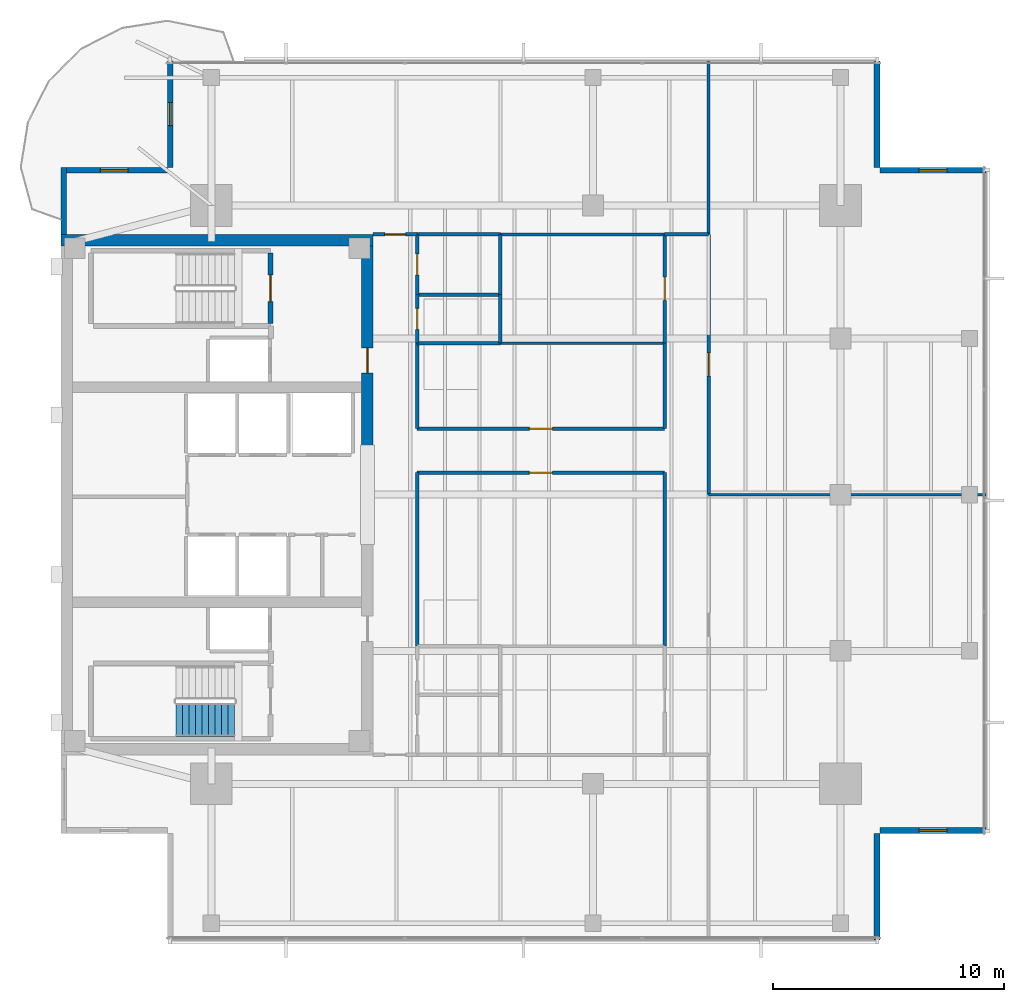
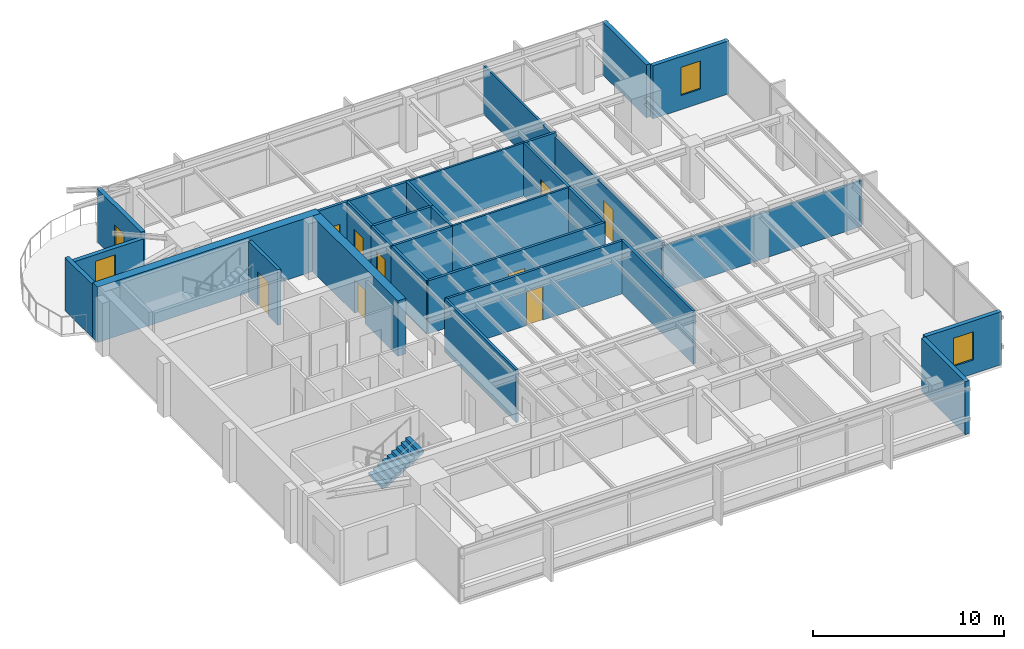
# One storey, part 9 of 14: 31 walls, 10 doors, 3 windows, 1 stair flight, 13 openings, 1 element without a shape of its own.
"""IFC4 building model written with IfcOpenShell, lengths in metres."""

from ifc_helpers import new_model, si_unit, direction, frame, frame_2d, origin, place, context, subcontext, project, spatial, polyline, rectangle, outline, extrude, material, layer, layer_set, type_object, element, fill, aggregate, save


model = new_model("IFC4")

# Units and contexts
model_context = context("Model", 3, precision=1e-05, world=origin(), true_north=direction((0.0, 1.0)))
body_context = subcontext(model_context, "Body", "Model", "MODEL_VIEW")
ifc_project = project(units=[si_unit("LENGTHUNIT", "METRE"), si_unit("AREAUNIT", "SQUARE_METRE"), si_unit("VOLUMEUNIT", "CUBIC_METRE"), si_unit("PLANEANGLEUNIT", "RADIAN"), si_unit("MASSUNIT", "GRAM", prefix="KILO")], contexts=[model_context])

# Site, building, storey
site_placement = place(None, origin())
site = spatial("IfcSite", under=ifc_project, at=site_placement, CompositionType="ELEMENT")
building_placement = place(site_placement, origin())
building = spatial("IfcBuilding", under=site, at=building_placement, Name="Kinhvarn Gate Tower", CompositionType="ELEMENT")
storey_placement = place(building_placement, frame((0.0, 0.0, 267.0)))
storey = spatial("IfcBuildingStorey", under=building, at=storey_placement, Name="L71", CompositionType="ELEMENT", Elevation=267.0)

# Wall
ifc_material_1 = material(Name="Concrete C50/60", Category="concrete")
ifc_layer_1 = layer(ifc_material_1, 0.5)
ifc_layer_set_1 = layer_set([ifc_layer_1], Name="Concrete C50/60")
wall_type_1 = type_object("IfcWallType", Name="WL-CORE-500", PredefinedType="SHEAR", material=ifc_layer_set_1)
wall_1_placement = place(storey_placement, frame((4.5, 36.25, 0.0), z_axis=(0.0, 0.0, 1.0), x_axis=(1.0, 0.0, 0.0)))
element("IfcWall", 1, at=wall_1_placement, inside=storey, type_object=wall_type_1, Name="Core North Shear Wall L71 500 mm", PredefinedType="SHEAR", context=body_context, shape_type="SweptSolid", body=[
    extrude(rectangle(XDim=13.5, YDim=0.5, at=frame_2d((6.75, 0.0))), origin(), (0.0, 0.0, 1.0), 3.550048828125),
])

# Wall, opening, door
wall_2_placement = place(storey_placement, frame((17.75, 27.050048828125, 0.0), z_axis=(0.0, 0.0, 1.0), x_axis=(0.0, 1.0, 0.0)))
wall_2 = element("IfcWall", 2, at=wall_2_placement, inside=storey, type_object=wall_type_1, Name="Core East-North Shear Pier L71 500 mm", PredefinedType="SHEAR", context=body_context, shape_type="SweptSolid", body=[
    extrude(rectangle(XDim=8.949951171875, YDim=0.5, at=frame_2d((4.47509765625, 0.0))), origin(), (0.0, 0.0, 1.0), 3.550048828125),
])
opening_1_placement = place(wall_2_placement, frame((3.449951171875, 0.0, 0.0)))
opening_1 = element("IfcOpeningElement", 3, at=opening_1_placement, cuts=wall_2, Name="Opening FD-02", PredefinedType="OPENING", context=body_context, shape_type="SweptSolid", body=[
    extrude(rectangle(XDim=1.10009765625, YDim=2.14990234375, at=frame_2d((0.550048828125, 1.074951171875))), frame((0.0, 0.260009765625, 0.0), z_axis=(0.0, -1.0, 0.0), x_axis=(1.0, 0.0, 0.0)), (0.0, 0.0, 1.0), 0.52001953125),
])
ifc_material_2 = material(Name="Anodised aluminium AW-6063", Category="aluminium")
door_type_1 = type_object("IfcDoorType", Name="DR-FD-1100", OperationType="NOTDEFINED", PredefinedType="DOOR", material=ifc_material_2)
door_1_placement = place(opening_1_placement, origin())
door_1 = element("IfcDoor", 4, at=door_1_placement, inside=storey, type_object=door_type_1, Name="Firefighting Lobby Core Door (L71)", OperationType="SINGLE_SWING_LEFT", OverallHeight=2.14990234375, OverallWidth=1.10009765625, PredefinedType="DOOR", context=body_context, shape_type="SweptSolid", body=[
    extrude(rectangle(XDim=1.10009765625, YDim=2.14990234375, at=frame_2d((0.550048828125, 1.074951171875))), frame((0.0, 0.02490234375, 0.0), z_axis=(0.0, -1.0, 0.0), x_axis=(1.0, 0.0, 0.0)), (0.0, 0.0, 1.0), 0.050048828125),
])
fill(opening_1, door_1)

# Walls
ifc_material_3 = material(Name="Fired architectural terracotta", Category="masonry")
ifc_layer_2 = layer(ifc_material_3, 0.25)
ifc_layer_set_2 = layer_set([ifc_layer_2], Name="Fired architectural terracotta")
wall_type_2 = type_object("IfcWallType", Name="WL-EXT-250", PredefinedType="SOLIDWALL", material=ifc_layer_set_2)
wall_3_placement = place(storey_placement, frame((4.625, 39.39990234375, 0.0), z_axis=(0.0, 0.0, 1.0), x_axis=(0.0, -1.0, 0.0)))
element("IfcWall", 5, at=wall_3_placement, inside=storey, type_object=wall_type_2, Name="Exterior Solidwall Wall EW-250 (L71 West-North)", PredefinedType="SOLIDWALL", context=body_context, shape_type="SweptSolid", body=[
    extrude(rectangle(XDim=2.89990234375, YDim=0.25, at=frame_2d((1.449951171875, 0.0))), origin(), (0.0, 0.0, 1.0), 3.389892578125),
])
wall_4_placement = place(storey_placement, frame((39.77490234375, 6.0, 0.0), z_axis=(0.0, 0.0, 1.0), x_axis=(0.0, 1.0, 0.0)))
element("IfcWall", 6, at=wall_4_placement, inside=storey, type_object=wall_type_2, Name="Exterior Solidwall Wall EW-250 (L71 SE-Notch-1)", PredefinedType="SOLIDWALL", context=body_context, shape_type="SweptSolid", body=[
    extrude(rectangle(XDim=4.60009765625, YDim=0.25, at=frame_2d((2.300048828125, 0.0))), origin(), (0.0, 0.0, 1.0), 3.389892578125),
])

# Wall, opening, window
wall_5_placement = place(storey_placement, frame((39.89990234375, 10.72509765625, 0.0), z_axis=(0.0, 0.0, 1.0), x_axis=(1.0, 0.0, 0.0)))
wall_5 = element("IfcWall", 7, at=wall_5_placement, inside=storey, type_object=wall_type_2, Name="Exterior Solidwall Wall EW-250 (L71 SE-Notch-2)", PredefinedType="SOLIDWALL", context=body_context, shape_type="SweptSolid", body=[
    extrude(rectangle(XDim=4.60009765625, YDim=0.25, at=frame_2d((2.300048828125, 0.0))), origin(), (0.0, 0.0, 1.0), 3.389892578125),
])
opening_2_placement = place(wall_5_placement, frame((1.699951171875, 0.0, 0.89990234375)))
opening_2 = element("IfcOpeningElement", 8, at=opening_2_placement, cuts=wall_5, Name="Opening WN-02", PredefinedType="OPENING", context=body_context, shape_type="SweptSolid", body=[
    extrude(rectangle(XDim=1.199951171875, YDim=1.800048828125, at=frame_2d((0.60009765625, 0.89990234375))), frame((0.0, 0.135009765625, 0.0), z_axis=(0.0, -1.0, 0.0), x_axis=(1.0, 0.0, 0.0)), (0.0, 0.0, 1.0), 0.27001953125),
])
ifc_material_4 = material(Name="Clear low-e double glazing", Category="glass")
window_type = type_object("IfcWindowType", Name="WIN-NTC-1200", PartitioningType="SINGLE_PANEL", PredefinedType="WINDOW", material=ifc_material_4)
window_1_placement = place(opening_2_placement, origin())
window_1 = element("IfcWindow", 9, at=window_1_placement, inside=storey, type_object=window_type, Name="Recessed Corner Notch Punched Window 1200x1800 mm (L71)", OverallHeight=1.800048828125, OverallWidth=1.199951171875, PartitioningType="SINGLE_PANEL", PredefinedType="WINDOW", context=body_context, shape_type="SweptSolid", body=[
    extrude(rectangle(XDim=1.199951171875, YDim=1.800048828125, at=frame_2d((0.60009765625, 0.89990234375))), frame((0.0, 0.030029296875, 0.0), z_axis=(0.0, -1.0, 0.0), x_axis=(1.0, 0.0, 0.0)), (0.0, 0.0, 1.0), 0.06005859375),
])
fill(opening_2, window_1)

wall_6_placement = place(storey_placement, frame((44.5, 39.27490234375, 0.0), z_axis=(0.0, 0.0, 1.0), x_axis=(-1.0, 0.0, 0.0)))
wall_6 = element("IfcWall", 10, at=wall_6_placement, inside=storey, type_object=wall_type_2, Name="Exterior Solidwall Wall EW-250 (L71 NE-Notch-1)", PredefinedType="SOLIDWALL", context=body_context, shape_type="SweptSolid", body=[
    extrude(rectangle(XDim=4.60009765625, YDim=0.25, at=frame_2d((2.300048828125, 0.0))), origin(), (0.0, 0.0, 1.0), 3.389892578125),
])
opening_3_placement = place(wall_6_placement, frame((1.699951171875, 0.0, 0.89990234375)))
opening_3 = element("IfcOpeningElement", 11, at=opening_3_placement, cuts=wall_6, Name="Opening WN-02", PredefinedType="OPENING", context=body_context, shape_type="SweptSolid", body=[
    extrude(rectangle(XDim=1.199951171875, YDim=1.800048828125, at=frame_2d((0.60009765625, 0.89990234375))), frame((0.0, 0.135009765625, 0.0), z_axis=(0.0, -1.0, 0.0), x_axis=(1.0, 0.0, 0.0)), (0.0, 0.0, 1.0), 0.27001953125),
])
window_2_placement = place(opening_3_placement, origin())
window_2 = element("IfcWindow", 12, at=window_2_placement, inside=storey, type_object=window_type, Name="Recessed Corner Notch Punched Window 1200x1800 mm (L71)", OverallHeight=1.800048828125, OverallWidth=1.199951171875, PartitioningType="SINGLE_PANEL", PredefinedType="WINDOW", context=body_context, shape_type="SweptSolid", body=[
    extrude(rectangle(XDim=1.199951171875, YDim=1.800048828125, at=frame_2d((0.60009765625, 0.89990234375))), frame((0.0, 0.030029296875, 0.0), z_axis=(0.0, -1.0, 0.0), x_axis=(1.0, 0.0, 0.0)), (0.0, 0.0, 1.0), 0.06005859375),
])
fill(opening_3, window_2)

# Wall
wall_7_placement = place(storey_placement, frame((39.77490234375, 39.39990234375, 0.0), z_axis=(0.0, 0.0, 1.0), x_axis=(0.0, 1.0, 0.0)))
element("IfcWall", 13, at=wall_7_placement, inside=storey, type_object=wall_type_2, Name="Exterior Solidwall Wall EW-250 (L71 NE-Notch-2)", PredefinedType="SOLIDWALL", context=body_context, shape_type="SweptSolid", body=[
    extrude(rectangle(XDim=4.60009765625, YDim=0.25, at=frame_2d((2.300048828125, 0.0))), origin(), (0.0, 0.0, 1.0), 3.389892578125),
])

# Wall, opening, door
wall_8_placement = place(storey_placement, frame((9.22509765625, 44.0, 0.0), z_axis=(0.0, 0.0, 1.0), x_axis=(0.0, -1.0, 0.0)))
wall_8 = element("IfcWall", 14, at=wall_8_placement, inside=storey, type_object=wall_type_2, Name="Exterior Solidwall Wall EW-250 (L71 NW-Notch-Door)", PredefinedType="SOLIDWALL", context=body_context, shape_type="SweptSolid", body=[
    extrude(rectangle(XDim=4.60009765625, YDim=0.25, at=frame_2d((2.300048828125, 0.0))), origin(), (0.0, 0.0, 1.0), 3.389892578125),
])
opening_4_placement = place(wall_8_placement, frame((1.800048828125, 0.0, 0.0)))
opening_4 = element("IfcOpeningElement", 15, at=opening_4_placement, cuts=wall_8, Name="Opening BD-01", PredefinedType="OPENING", context=body_context, shape_type="SweptSolid", body=[
    extrude(rectangle(XDim=1.0, YDim=2.199951171875, at=frame_2d((0.5, 1.10009765625))), frame((0.0, 0.135009765625, 0.0), z_axis=(0.0, -1.0, 0.0), x_axis=(1.0, 0.0, 0.0)), (0.0, 0.0, 1.0), 0.27001953125),
])
door_type_2 = type_object("IfcDoorType", Name="DR-BAL-1000", OperationType="NOTDEFINED", PredefinedType="DOOR", material=ifc_material_4)
door_2_placement = place(opening_4_placement, frame((1.0, 0.0, 0.0), z_axis=(0.0, 0.0, 1.0), x_axis=(-1.0, 0.0, 0.0)))
door_2 = element("IfcDoor", 16, at=door_2_placement, inside=storey, type_object=door_type_2, Name="S-Carve Balcony Door BD-01 (L71)", OperationType="SINGLE_SWING_RIGHT", OverallHeight=2.199951171875, OverallWidth=1.0, PredefinedType="DOOR", context=body_context, shape_type="SweptSolid", body=[
    extrude(rectangle(XDim=1.0, YDim=2.199951171875, at=frame_2d((0.5, 1.10009765625))), frame((0.0, 0.02490234375, 0.0), z_axis=(0.0, -1.0, 0.0), x_axis=(1.0, 0.0, 0.0)), (0.0, 0.0, 1.0), 0.050048828125),
])
fill(opening_4, door_2)

# Wall, opening, window
wall_9_placement = place(storey_placement, frame((9.10009765625, 39.27490234375, 0.0), z_axis=(0.0, 0.0, 1.0), x_axis=(-1.0, 0.0, 0.0)))
wall_9 = element("IfcWall", 17, at=wall_9_placement, inside=storey, type_object=wall_type_2, Name="Exterior Solidwall Wall EW-250 (L71 NW-Notch-Win)", PredefinedType="SOLIDWALL", context=body_context, shape_type="SweptSolid", body=[
    extrude(rectangle(XDim=4.60009765625, YDim=0.25, at=frame_2d((2.300048828125, 0.0))), origin(), (0.0, 0.0, 1.0), 3.1201171875),
])
opening_5_placement = place(wall_9_placement, frame((1.699951171875, 0.0, 0.89990234375)))
opening_5 = element("IfcOpeningElement", 18, at=opening_5_placement, cuts=wall_9, Name="Opening WN-02", PredefinedType="OPENING", context=body_context, shape_type="SweptSolid", body=[
    extrude(rectangle(XDim=1.199951171875, YDim=1.800048828125, at=frame_2d((0.60009765625, 0.89990234375))), frame((0.0, 0.135009765625, 0.0), z_axis=(0.0, -1.0, 0.0), x_axis=(1.0, 0.0, 0.0)), (0.0, 0.0, 1.0), 0.27001953125),
])
window_3_placement = place(opening_5_placement, origin())
window_3 = element("IfcWindow", 19, at=window_3_placement, inside=storey, type_object=window_type, Name="Recessed Corner Notch Punched Window 1200x1800 mm (L71)", OverallHeight=1.800048828125, OverallWidth=1.199951171875, PartitioningType="SINGLE_PANEL", PredefinedType="WINDOW", context=body_context, shape_type="SweptSolid", body=[
    extrude(rectangle(XDim=1.199951171875, YDim=1.800048828125, at=frame_2d((0.60009765625, 0.89990234375))), frame((0.0, 0.030029296875, 0.0), z_axis=(0.0, -1.0, 0.0), x_axis=(1.0, 0.0, 0.0)), (0.0, 0.0, 1.0), 0.06005859375),
])
fill(opening_5, window_3)

# Walls
ifc_material_5 = material(Name="Gypsum acoustic partition board")
ifc_layer_3 = layer(ifc_material_5, 0.14990234375)
ifc_layer_set_3 = layer_set([ifc_layer_3], Name="Gypsum acoustic partition board")
wall_type_3 = type_object("IfcWallType", Name="WL-PLM-150", PredefinedType="PLUMBINGWALL", material=ifc_layer_set_3)
wall_10_placement = place(storey_placement, frame((19.89990234375, 33.89990234375, 0.0), z_axis=(0.0, 0.0, 1.0), x_axis=(1.0, 0.0, 0.0)))
element("IfcWall", 20, at=wall_10_placement, inside=storey, type_object=wall_type_3, Name="Interior Partition PLW-150 (L71)", PredefinedType="PLUMBINGWALL", context=body_context, shape_type="SweptSolid", body=[
    extrude(rectangle(XDim=3.60009765625, YDim=0.14990234375, at=frame_2d((1.800048828125, 0.0))), origin(), (0.0, 0.0, 1.0), 3.389892578125),
])
wall_11_placement = place(storey_placement, frame((23.5, 33.89990234375, 0.0), z_axis=(0.0, 0.0, 1.0), x_axis=(0.0, 1.0, 0.0)))
element("IfcWall", 21, at=wall_11_placement, inside=storey, type_object=wall_type_3, Name="Interior Partition PLW-150 (L71)", PredefinedType="PLUMBINGWALL", context=body_context, shape_type="SweptSolid", body=[
    extrude(rectangle(XDim=2.60009765625, YDim=0.14990234375, at=frame_2d((1.300048828125, 0.0))), origin(), (0.0, 0.0, 1.0), 3.389892578125),
])
wall_12_placement = place(storey_placement, frame((19.89990234375, 36.5, 0.0), z_axis=(0.0, 0.0, 1.0), x_axis=(1.0, 0.0, 0.0)))
element("IfcWall", 22, at=wall_12_placement, inside=storey, type_object=wall_type_3, Name="Interior Partition PLW-150 (L71)", PredefinedType="PLUMBINGWALL", context=body_context, shape_type="SweptSolid", body=[
    extrude(rectangle(XDim=3.60009765625, YDim=0.14990234375, at=frame_2d((1.800048828125, 0.0))), origin(), (0.0, 0.0, 1.0), 3.389892578125),
])
wall_13_placement = place(storey_placement, frame((23.5, 31.800048828125, 0.0), z_axis=(0.0, 0.0, 1.0), x_axis=(0.0, 1.0, 0.0)))
element("IfcWall", 23, at=wall_13_placement, inside=storey, type_object=wall_type_3, Name="Interior Partition PLW-150 (L71)", PredefinedType="PLUMBINGWALL", context=body_context, shape_type="SweptSolid", body=[
    extrude(rectangle(XDim=2.099853515625, YDim=0.14990234375, at=frame_2d((1.0498046875, 0.0))), origin(), (0.0, 0.0, 1.0), 3.389892578125),
])
wall_14_placement = place(storey_placement, frame((19.89990234375, 31.800048828125, 0.0), z_axis=(0.0, 0.0, 1.0), x_axis=(1.0, 0.0, 0.0)))
element("IfcWall", 24, at=wall_14_placement, inside=storey, type_object=wall_type_3, Name="Interior Partition PLW-150 (L71)", PredefinedType="PLUMBINGWALL", context=body_context, shape_type="SweptSolid", body=[
    extrude(rectangle(XDim=3.60009765625, YDim=0.14990234375, at=frame_2d((1.800048828125, 0.0))), origin(), (0.0, 0.0, 1.0), 3.389892578125),
])

# Wall, opening, door
ifc_layer_4 = layer(ifc_material_5, 0.14990234375)
ifc_layer_set_4 = layer_set([ifc_layer_4], Name="Gypsum acoustic partition board")
wall_type_4 = type_object("IfcWallType", Name="WL-PLM-150F", PredefinedType="PLUMBINGWALL", material=ifc_layer_set_4)
wall_15_placement = place(storey_placement, frame((19.89990234375, 33.89990234375, 0.0), z_axis=(0.0, 0.0, 1.0), x_axis=(0.0, 1.0, 0.0)))
wall_15 = element("IfcWall", 25, at=wall_15_placement, inside=storey, type_object=wall_type_4, Name="Interior Partition PLW-150F (L71)", PredefinedType="PLUMBINGWALL", context=body_context, shape_type="SweptSolid", body=[
    extrude(rectangle(XDim=2.60009765625, YDim=0.14990234375, at=frame_2d((1.300048828125, 0.0))), origin(), (0.0, 0.0, 1.0), 3.389892578125),
])
opening_6_placement = place(wall_15_placement, frame((0.85009765625, 0.0, 0.0)))
opening_6 = element("IfcOpeningElement", 26, at=opening_6_placement, cuts=wall_15, Name="Opening FD-04", PredefinedType="OPENING", context=body_context, shape_type="SweptSolid", body=[
    extrude(rectangle(XDim=0.89990234375, YDim=2.10009765625, at=frame_2d((0.449951171875, 1.050048828125))), frame((0.0, 0.0849609375, 0.0), z_axis=(0.0, -1.0, 0.0), x_axis=(1.0, 0.0, 0.0)), (0.0, 0.0, 1.0), 0.169921875),
])
door_type_3 = type_object("IfcDoorType", Name="DR-FD-900", OperationType="NOTDEFINED", PredefinedType="DOOR", material=ifc_material_2)
door_3_placement = place(opening_6_placement, origin())
door_3 = element("IfcDoor", 27, at=door_3_placement, inside=storey, type_object=door_type_3, Name="Rated Riser & Service Closet Fire Door 900x2100 mm (L71)", OperationType="SINGLE_SWING_LEFT", OverallHeight=2.10009765625, OverallWidth=0.89990234375, PredefinedType="DOOR", context=body_context, shape_type="SweptSolid", body=[
    extrude(rectangle(XDim=0.89990234375, YDim=2.10009765625, at=frame_2d((0.449951171875, 1.050048828125))), frame((0.0, 0.02490234375, 0.0), z_axis=(0.0, -1.0, 0.0), x_axis=(1.0, 0.0, 0.0)), (0.0, 0.0, 1.0), 0.050048828125),
])
fill(opening_6, door_3)

wall_16_placement = place(storey_placement, frame((19.89990234375, 31.800048828125, 0.0), z_axis=(0.0, 0.0, 1.0), x_axis=(0.0, 1.0, 0.0)))
wall_16 = element("IfcWall", 28, at=wall_16_placement, inside=storey, type_object=wall_type_4, Name="Interior Partition PLW-150F (L71)", PredefinedType="PLUMBINGWALL", context=body_context, shape_type="SweptSolid", body=[
    extrude(rectangle(XDim=2.099853515625, YDim=0.14990234375, at=frame_2d((1.0498046875, 0.0))), origin(), (0.0, 0.0, 1.0), 3.389892578125),
])
opening_7_placement = place(wall_16_placement, frame((0.60009765625, 0.0, 0.0)))
opening_7 = element("IfcOpeningElement", 29, at=opening_7_placement, cuts=wall_16, Name="Opening FD-04", PredefinedType="OPENING", context=body_context, shape_type="SweptSolid", body=[
    extrude(rectangle(XDim=0.89990234375, YDim=2.10009765625, at=frame_2d((0.449951171875, 1.050048828125))), frame((0.0, 0.0849609375, 0.0), z_axis=(0.0, -1.0, 0.0), x_axis=(1.0, 0.0, 0.0)), (0.0, 0.0, 1.0), 0.169921875),
])
door_4_placement = place(opening_7_placement, origin())
door_4 = element("IfcDoor", 30, at=door_4_placement, inside=storey, type_object=door_type_3, Name="Rated Riser & Service Closet Fire Door 900x2100 mm (L71)", OperationType="SINGLE_SWING_LEFT", OverallHeight=2.10009765625, OverallWidth=0.89990234375, PredefinedType="DOOR", context=body_context, shape_type="SweptSolid", body=[
    extrude(rectangle(XDim=0.89990234375, YDim=2.10009765625, at=frame_2d((0.449951171875, 1.050048828125))), frame((0.0, 0.02490234375, 0.0), z_axis=(0.0, -1.0, 0.0), x_axis=(1.0, 0.0, 0.0)), (0.0, 0.0, 1.0), 0.050048828125),
])
fill(opening_7, door_4)

# Walls
ifc_layer_5 = layer(ifc_material_5, 0.1201171875)
ifc_layer_set_5 = layer_set([ifc_layer_5], Name="Gypsum acoustic partition board")
wall_type_5 = type_object("IfcWallType", Name="WL-PRT-120", PredefinedType="PARTITIONING", material=ifc_layer_set_5)
for number, where, z_axis, x_axis, name in (
    (31, (23.5, 31.800048828125, 0.0), (0.0, 0.0, 1.0), (1.0, 0.0, 0.0), "Interior Partition PW-120 (L71)"),
    (32, (23.5, 36.5, 0.0), (0.0, 0.0, 1.0), (1.0, 0.0, 0.0), "Interior Partition PW-120 (L71)"),
):
    element("IfcWall", number, at=place(storey_placement, frame(where, z_axis=z_axis, x_axis=x_axis)), inside=storey, type_object=wall_type_5, Name=name, PredefinedType="PARTITIONING", context=body_context, shape_type="SweptSolid", body=[
        extrude(rectangle(XDim=7.10009765625, YDim=0.1201171875, at=frame_2d((3.550048828125, 0.0))), origin(), (0.0, 0.0, 1.0), 3.389892578125),
    ])
wall_17_placement = place(storey_placement, frame((32.5, 36.5, 0.0), z_axis=(0.0, 0.0, 1.0), x_axis=(0.0, 1.0, 0.0)))
element("IfcWall", 33, at=wall_17_placement, inside=storey, type_object=wall_type_5, Name="Interior Partition PW-120 (L71)", PredefinedType="PARTITIONING", context=body_context, shape_type="SweptSolid", body=[
    extrude(rectangle(XDim=7.489990234375, YDim=0.1201171875, at=frame_2d((3.7451171875, 0.0))), origin(), (0.0, 0.0, 1.0), 3.1201171875),
])
wall_18_placement = place(storey_placement, frame((32.5, 25.25, 0.0), z_axis=(0.0, 0.0, 1.0), x_axis=(1.0, 0.0, 0.0)))
element("IfcWall", 34, at=wall_18_placement, inside=storey, type_object=wall_type_5, Name="Interior Partition PW-120 (L71)", PredefinedType="PARTITIONING", context=body_context, shape_type="SweptSolid", body=[
    extrude(rectangle(XDim=11.989990234375, YDim=0.1201171875, at=frame_2d((5.9951171875, 0.0))), origin(), (0.0, 0.0, 1.0), 2.93994140625),
])
ifc_layer_6 = layer(ifc_material_5, 0.14990234375)
ifc_layer_set_6 = layer_set([ifc_layer_6], Name="Gypsum acoustic partition board")
wall_type_6 = type_object("IfcWallType", Name="WL-PRT-150F", PredefinedType="PARTITIONING", material=ifc_layer_set_6)
wall_19_placement = place(storey_placement, frame((19.89990234375, 18.699951171875, 0.0), z_axis=(0.0, 0.0, 1.0), x_axis=(0.0, 1.0, 0.0)))
element("IfcWall", 35, at=wall_19_placement, inside=storey, type_object=wall_type_6, Name="Interior Partition PW-150F (L71)", PredefinedType="PARTITIONING", context=body_context, shape_type="SweptSolid", body=[
    extrude(rectangle(XDim=7.5, YDim=0.14990234375, at=frame_2d((3.75, 0.0))), origin(), (0.0, 0.0, 1.0), 3.389892578125),
])
wall_20_placement = place(storey_placement, frame((19.89990234375, 28.10009765625, 0.0), z_axis=(0.0, 0.0, 1.0), x_axis=(0.0, 1.0, 0.0)))
element("IfcWall", 36, at=wall_20_placement, inside=storey, type_object=wall_type_6, Name="Interior Partition PW-150F (L71)", PredefinedType="PARTITIONING", context=body_context, shape_type="SweptSolid", body=[
    extrude(rectangle(XDim=3.699951171875, YDim=0.14990234375, at=frame_2d((1.85009765625, 0.0))), origin(), (0.0, 0.0, 1.0), 3.389892578125),
])

# Wall, opening, door
wall_21_placement = place(storey_placement, frame((18.0, 36.5, 0.0), z_axis=(0.0, 0.0, 1.0), x_axis=(1.0, 0.0, 0.0)))
wall_21 = element("IfcWall", 37, at=wall_21_placement, inside=storey, type_object=wall_type_6, Name="Interior Partition PW-150F (L71)", PredefinedType="PARTITIONING", context=body_context, shape_type="SweptSolid", body=[
    extrude(rectangle(XDim=1.89990234375, YDim=0.14990234375, at=frame_2d((0.949951171875, 0.0))), origin(), (0.0, 0.0, 1.0), 3.389892578125),
])
opening_8_placement = place(wall_21_placement, frame((0.5, 0.0, 0.0)))
opening_8 = element("IfcOpeningElement", 38, at=opening_8_placement, cuts=wall_21, Name="Opening ID-03", PredefinedType="OPENING", context=body_context, shape_type="SweptSolid", body=[
    extrude(rectangle(XDim=0.89990234375, YDim=2.10009765625, at=frame_2d((0.449951171875, 1.050048828125))), frame((0.0, 0.0849609375, 0.0), z_axis=(0.0, -1.0, 0.0), x_axis=(1.0, 0.0, 0.0)), (0.0, 0.0, 1.0), 0.169921875),
])
door_type_4 = type_object("IfcDoorType", Name="DR-INT-900", OperationType="NOTDEFINED", PredefinedType="DOOR", material=ifc_material_2)
door_5_placement = place(opening_8_placement, origin())
door_5 = element("IfcDoor", 39, at=door_5_placement, inside=storey, type_object=door_type_4, Name="Cellular Office & Restroom Door 900x2100 mm (L71)", OperationType="SINGLE_SWING_LEFT", OverallHeight=2.10009765625, OverallWidth=0.89990234375, PredefinedType="DOOR", context=body_context, shape_type="SweptSolid", body=[
    extrude(rectangle(XDim=0.89990234375, YDim=2.10009765625, at=frame_2d((0.449951171875, 1.050048828125))), frame((0.0, 0.02490234375, 0.0), z_axis=(0.0, -1.0, 0.0), x_axis=(1.0, 0.0, 0.0)), (0.0, 0.0, 1.0), 0.050048828125),
])
fill(opening_8, door_5)

wall_22_placement = place(storey_placement, frame((19.89990234375, 26.199951171875, 0.0), z_axis=(0.0, 0.0, 1.0), x_axis=(1.0, 0.0, 0.0)))
wall_22 = element("IfcWall", 40, at=wall_22_placement, inside=storey, type_object=wall_type_6, Name="Interior Partition PW-150F (L71)", PredefinedType="PARTITIONING", context=body_context, shape_type="SweptSolid", body=[
    extrude(rectangle(XDim=10.7001953125, YDim=0.14990234375, at=frame_2d((5.35009765625, 0.0))), origin(), (0.0, 0.0, 1.0), 3.389892578125),
])
opening_9_placement = place(wall_22_placement, frame((4.85009765625, 0.0, 0.0)))
opening_9 = element("IfcOpeningElement", 41, at=opening_9_placement, cuts=wall_22, Name="Opening ID-02", PredefinedType="OPENING", context=body_context, shape_type="SweptSolid", body=[
    extrude(rectangle(XDim=1.0, YDim=2.14990234375, at=frame_2d((0.5, 1.074951171875))), frame((0.0, 0.0849609375, 0.0), z_axis=(0.0, -1.0, 0.0), x_axis=(1.0, 0.0, 0.0)), (0.0, 0.0, 1.0), 0.169921875),
])
door_type_5 = type_object("IfcDoorType", Name="DR-INT-1000", OperationType="NOTDEFINED", PredefinedType="DOOR", material=ifc_material_2)
door_6_placement = place(opening_9_placement, origin())
door_6 = element("IfcDoor", 42, at=door_6_placement, inside=storey, type_object=door_type_5, Name="Standard Office & Meeting Room Door 1000x2150 mm (L71)", OperationType="SINGLE_SWING_RIGHT", OverallHeight=2.14990234375, OverallWidth=1.0, PredefinedType="DOOR", context=body_context, shape_type="SweptSolid", body=[
    extrude(rectangle(XDim=1.0, YDim=2.14990234375, at=frame_2d((0.5, 1.074951171875))), frame((0.0, 0.02490234375, 0.0), z_axis=(0.0, -1.0, 0.0), x_axis=(1.0, 0.0, 0.0)), (0.0, 0.0, 1.0), 0.050048828125),
])
fill(opening_9, door_6)

wall_23_placement = place(storey_placement, frame((19.89990234375, 28.10009765625, 0.0), z_axis=(0.0, 0.0, 1.0), x_axis=(1.0, 0.0, 0.0)))
wall_23 = element("IfcWall", 43, at=wall_23_placement, inside=storey, type_object=wall_type_6, Name="Interior Partition PW-150F (L71)", PredefinedType="PARTITIONING", context=body_context, shape_type="SweptSolid", body=[
    extrude(rectangle(XDim=10.7001953125, YDim=0.14990234375, at=frame_2d((5.35009765625, 0.0))), origin(), (0.0, 0.0, 1.0), 3.389892578125),
])
opening_10_placement = place(wall_23_placement, frame((4.85009765625, 0.0, 0.0)))
opening_10 = element("IfcOpeningElement", 44, at=opening_10_placement, cuts=wall_23, Name="Opening ID-02", PredefinedType="OPENING", context=body_context, shape_type="SweptSolid", body=[
    extrude(rectangle(XDim=1.0, YDim=2.14990234375, at=frame_2d((0.5, 1.074951171875))), frame((0.0, 0.0849609375, 0.0), z_axis=(0.0, -1.0, 0.0), x_axis=(1.0, 0.0, 0.0)), (0.0, 0.0, 1.0), 0.169921875),
])
door_7_placement = place(opening_10_placement, origin())
door_7 = element("IfcDoor", 45, at=door_7_placement, inside=storey, type_object=door_type_5, Name="Standard Office & Meeting Room Door 1000x2150 mm (L71)", OperationType="SINGLE_SWING_LEFT", OverallHeight=2.14990234375, OverallWidth=1.0, PredefinedType="DOOR", context=body_context, shape_type="SweptSolid", body=[
    extrude(rectangle(XDim=1.0, YDim=2.14990234375, at=frame_2d((0.5, 1.074951171875))), frame((0.0, 0.02490234375, 0.0), z_axis=(0.0, -1.0, 0.0), x_axis=(1.0, 0.0, 0.0)), (0.0, 0.0, 1.0), 0.050048828125),
])
fill(opening_10, door_7)

wall_24_placement = place(storey_placement, frame((30.60009765625, 31.800048828125, 0.0), z_axis=(0.0, 0.0, 1.0), x_axis=(0.0, 1.0, 0.0)))
wall_24 = element("IfcWall", 46, at=wall_24_placement, inside=storey, type_object=wall_type_6, Name="Interior Partition PW-150F (L71)", PredefinedType="PARTITIONING", context=body_context, shape_type="SweptSolid", body=[
    extrude(rectangle(XDim=4.699951171875, YDim=0.14990234375, at=frame_2d((2.35009765625, 0.0))), origin(), (0.0, 0.0, 1.0), 3.389892578125),
])
opening_11_placement = place(wall_24_placement, frame((1.85009765625, 0.0, 0.0)))
opening_11 = element("IfcOpeningElement", 47, at=opening_11_placement, cuts=wall_24, Name="Opening ID-02", PredefinedType="OPENING", context=body_context, shape_type="SweptSolid", body=[
    extrude(rectangle(XDim=1.0, YDim=2.14990234375, at=frame_2d((0.5, 1.074951171875))), frame((0.0, 0.0849609375, 0.0), z_axis=(0.0, -1.0, 0.0), x_axis=(1.0, 0.0, 0.0)), (0.0, 0.0, 1.0), 0.169921875),
])
door_8_placement = place(opening_11_placement, origin())
door_8 = element("IfcDoor", 48, at=door_8_placement, inside=storey, type_object=door_type_5, Name="Standard Office & Meeting Room Door 1000x2150 mm (L71)", OperationType="SINGLE_SWING_LEFT", OverallHeight=2.14990234375, OverallWidth=1.0, PredefinedType="DOOR", context=body_context, shape_type="SweptSolid", body=[
    extrude(rectangle(XDim=1.0, YDim=2.14990234375, at=frame_2d((0.5, 1.074951171875))), frame((0.0, 0.02490234375, 0.0), z_axis=(0.0, -1.0, 0.0), x_axis=(1.0, 0.0, 0.0)), (0.0, 0.0, 1.0), 0.050048828125),
])
fill(opening_11, door_8)

# Walls
wall_25_placement = place(storey_placement, frame((30.60009765625, 18.699951171875, 0.0), z_axis=(0.0, 0.0, 1.0), x_axis=(0.0, 1.0, 0.0)))
element("IfcWall", 49, at=wall_25_placement, inside=storey, type_object=wall_type_6, Name="Interior Partition PW-150F (L71)", PredefinedType="PARTITIONING", context=body_context, shape_type="SweptSolid", body=[
    extrude(rectangle(XDim=7.5, YDim=0.14990234375, at=frame_2d((3.75, 0.0))), origin(), (0.0, 0.0, 1.0), 3.389892578125),
])
wall_26_placement = place(storey_placement, frame((30.60009765625, 28.10009765625, 0.0), z_axis=(0.0, 0.0, 1.0), x_axis=(0.0, 1.0, 0.0)))
element("IfcWall", 50, at=wall_26_placement, inside=storey, type_object=wall_type_6, Name="Interior Partition PW-150F (L71)", PredefinedType="PARTITIONING", context=body_context, shape_type="SweptSolid", body=[
    extrude(rectangle(XDim=3.699951171875, YDim=0.14990234375, at=frame_2d((1.85009765625, 0.0))), origin(), (0.0, 0.0, 1.0), 3.389892578125),
])
wall_27_placement = place(storey_placement, frame((30.60009765625, 36.5, 0.0), z_axis=(0.0, 0.0, 1.0), x_axis=(1.0, 0.0, 0.0)))
element("IfcWall", 51, at=wall_27_placement, inside=storey, type_object=wall_type_6, Name="Interior Partition PW-150F (L71)", PredefinedType="PARTITIONING", context=body_context, shape_type="SweptSolid", body=[
    extrude(rectangle(XDim=1.89990234375, YDim=0.14990234375, at=frame_2d((0.949951171875, 0.0))), origin(), (0.0, 0.0, 1.0), 3.389892578125),
])

# Wall, opening, door
wall_28_placement = place(storey_placement, frame((32.5, 25.25, 0.0), z_axis=(0.0, 0.0, 1.0), x_axis=(0.0, 1.0, 0.0)))
wall_28 = element("IfcWall", 52, at=wall_28_placement, inside=storey, type_object=wall_type_6, Name="Interior Partition PW-150F (L71)", PredefinedType="PARTITIONING", context=body_context, shape_type="SweptSolid", body=[
    extrude(rectangle(XDim=11.25, YDim=0.14990234375, at=frame_2d((5.625, 0.0))), origin(), (0.0, 0.0, 1.0), 3.1201171875),
])
opening_12_placement = place(wall_28_placement, frame((5.125, 0.0, 0.0)))
opening_12 = element("IfcOpeningElement", 53, at=opening_12_placement, cuts=wall_28, Name="Opening ID-02", PredefinedType="OPENING", context=body_context, shape_type="SweptSolid", body=[
    extrude(rectangle(XDim=1.0, YDim=2.14990234375, at=frame_2d((0.5, 1.074951171875))), frame((0.0, 0.0849609375, 0.0), z_axis=(0.0, -1.0, 0.0), x_axis=(1.0, 0.0, 0.0)), (0.0, 0.0, 1.0), 0.169921875),
])
door_9_placement = place(opening_12_placement, origin())
door_9 = element("IfcDoor", 54, at=door_9_placement, inside=storey, type_object=door_type_5, Name="Standard Office & Meeting Room Door 1000x2150 mm (L71)", OperationType="SINGLE_SWING_LEFT", OverallHeight=2.14990234375, OverallWidth=1.0, PredefinedType="DOOR", context=body_context, shape_type="SweptSolid", body=[
    extrude(rectangle(XDim=1.0, YDim=2.14990234375, at=frame_2d((0.5, 1.074951171875))), frame((0.0, 0.02490234375, 0.0), z_axis=(0.0, -1.0, 0.0), x_axis=(1.0, 0.0, 0.0)), (0.0, 0.0, 1.0), 0.050048828125),
])
fill(opening_12, door_9)

ifc_material_6 = material(Name="Concrete C40/50", Category="concrete")
ifc_layer_7 = layer(ifc_material_6, 0.199951171875)
ifc_layer_set_7 = layer_set([ifc_layer_7], Name="Concrete C40/50")
wall_type_7 = type_object("IfcWallType", Name="WL-SHF-200", PredefinedType="SOLIDWALL", material=ifc_layer_set_7)
wall_29_placement = place(storey_placement, frame((13.56005859375, 32.64990234375, 0.0), z_axis=(0.0, 0.0, 1.0), x_axis=(0.0, 1.0, 0.0)))
wall_29 = element("IfcWall", 55, at=wall_29_placement, inside=storey, type_object=wall_type_7, Name="Stair ST2 East Entry Wall (L71)", PredefinedType="SOLIDWALL", context=body_context, shape_type="SweptSolid", body=[
    extrude(rectangle(XDim=3.050048828125, YDim=0.199951171875, at=frame_2d((1.52490234375, 0.0))), origin(), (0.0, 0.0, 1.0), 3.550048828125),
])
opening_13_placement = place(wall_29_placement, frame((0.949951171875, 0.0, 0.0)))
opening_13 = element("IfcOpeningElement", 56, at=opening_13_placement, cuts=wall_29, Name="Opening FD-01", PredefinedType="OPENING", context=body_context, shape_type="SweptSolid", body=[
    extrude(rectangle(XDim=1.14990234375, YDim=2.14990234375, at=frame_2d((0.574951171875, 1.074951171875))), frame((0.0, 0.10986328125, 0.0), z_axis=(0.0, -1.0, 0.0), x_axis=(1.0, 0.0, 0.0)), (0.0, 0.0, 1.0), 0.219970703125),
])
door_type_6 = type_object("IfcDoorType", Name="DR-ST-1150", OperationType="NOTDEFINED", PredefinedType="DOOR", material=ifc_material_2)
door_10_placement = place(opening_13_placement, origin())
door_10 = element("IfcDoor", 57, at=door_10_placement, inside=storey, type_object=door_type_6, Name="Exit Stair ST2 Fire Door (L71)", OperationType="SINGLE_SWING_RIGHT", OverallHeight=2.14990234375, OverallWidth=1.14990234375, PredefinedType="DOOR", context=body_context, shape_type="SweptSolid", body=[
    extrude(rectangle(XDim=1.14990234375, YDim=2.14990234375, at=frame_2d((0.574951171875, 1.074951171875))), frame((0.0, 0.02490234375, 0.0), z_axis=(0.0, -1.0, 0.0), x_axis=(1.0, 0.0, 0.0)), (0.0, 0.0, 1.0), 0.050048828125),
])
fill(opening_13, door_10)

# Stair, stair flight
stair_type = type_object("IfcStairType", Name="STR-DLG-178", PredefinedType="HALF_TURN_STAIR", material=ifc_material_6)
stair_placement = place(storey_placement, origin())
stair = element("IfcStair", 58, at=stair_placement, inside=storey, type_object=stair_type, Name="L71 Core Smokeproof Exit Stair ST1", PredefinedType="HALF_TURN_STAIR")
stair_flight_type = type_object("IfcStairFlightType", Name="STF-DLG-178", PredefinedType="STRAIGHT", material=ifc_material_6)
stair_flight_placement = place(storey_placement, frame((9.47998046875, 15.52490234375, 1.77490234375), z_axis=(0.0, 0.0, 1.0), x_axis=(1.0, 0.0, 0.0)))
stair_flight = element("IfcStairFlight", 59, at=stair_flight_placement, type_object=stair_flight_type, Name="ST1 flight 2", NumberOfRisers=10, NumberOfTreads=9, PredefinedType="STRAIGHT", RiserHeight=0.1775, TreadLength=0.28, context=body_context, shape_type="SweptSolid", body=[
    extrude(outline(polyline([(0.0, 0.0), (0.0, 0.177490234375), (0.280029296875, 0.177490234375), (0.280029296875, 0.35498046875), (0.56005859375, 0.35498046875), (0.56005859375, 0.532470703125), (0.840087890625, 0.532470703125), (0.840087890625, 0.7099609375), (1.1201171875, 0.7099609375), (1.1201171875, 0.887451171875), (1.39990234375, 0.887451171875), (1.39990234375, 1.06494140625), (1.679931640625, 1.06494140625), (1.679931640625, 1.242431640625), (1.9599609375, 1.242431640625), (1.9599609375, 1.419921875), (2.239990234375, 1.419921875), (2.239990234375, 1.597412109375), (2.52001953125, 1.597412109375), (2.52001953125, 1.77490234375), (2.52001953125, 1.419921875), (0.280029296875, 0.0), (0.0, 0.0)])), frame((0.0, 0.72509765625, 0.0), z_axis=(0.0, -1.0, 0.0), x_axis=(1.0, 0.0, 0.0)), (0.0, 0.0, 1.0), 1.449951171875),
])
aggregate(stair, [stair_flight])

save(model, "model.ifc")
